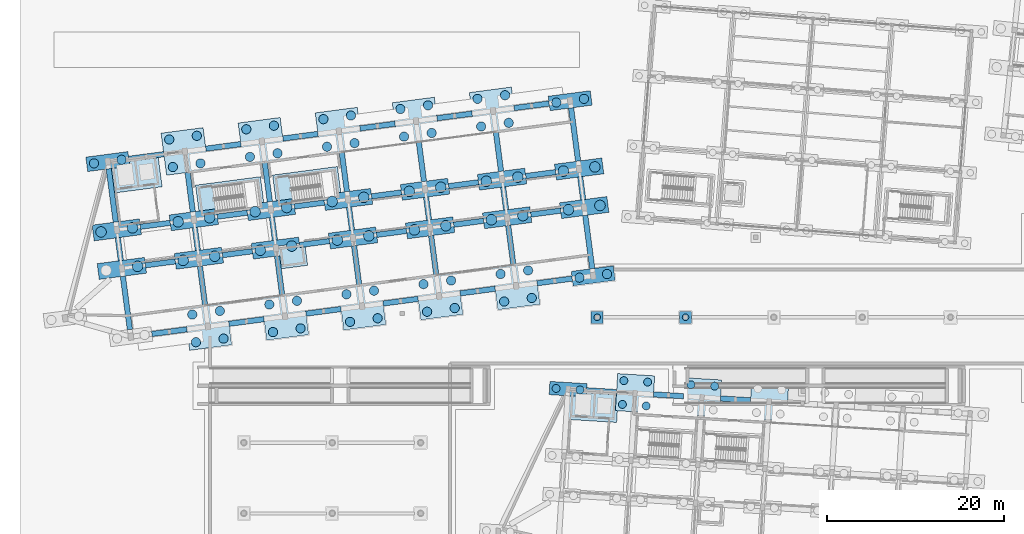
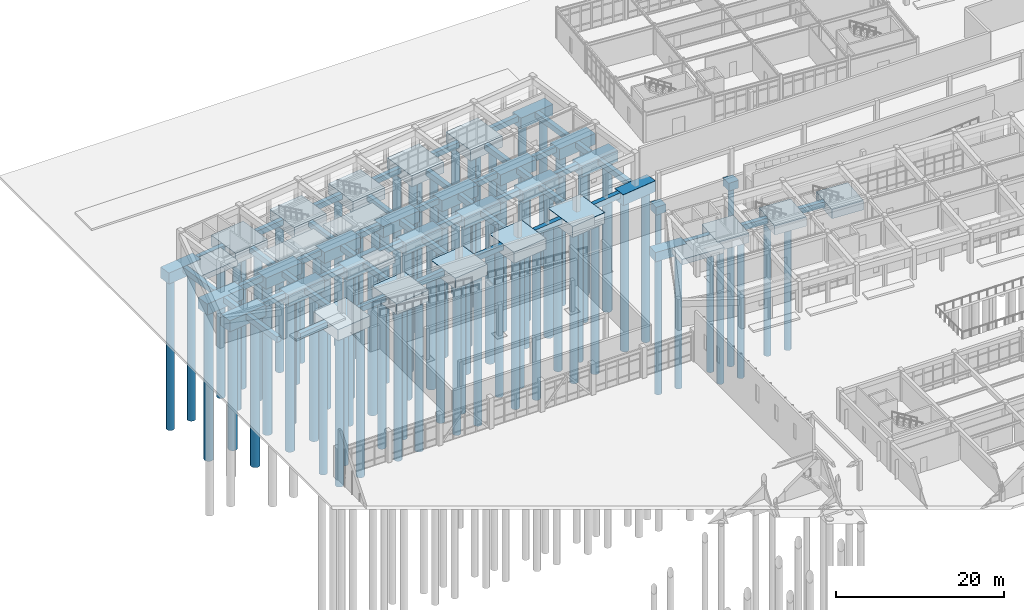
# One storey, part 3 of 154: 86 footings, 83 piles.
"""IFC4 building model written with IfcOpenShell, lengths in metres."""

import ifcopenshell
import ifcopenshell.guid

model = None  # the IFC model being written
_history = None  # IfcOwnerHistory: only IFC2X3 demands one
_inside = {}  # id of a spatial element -> (the spatial element, [elements in it])
_under = {}  # id of a project, library or spatial element -> (it, [spatial elements below it])
_declared = {}  # id of a project -> (the project, [libraries it declares])
_typed = {}  # id of a type object -> (the type object, [elements of that type])
_made_of = {}  # id of a material, layer set ... -> (it, [elements and type objects made of it])


def new_model(schema):
    """Start an empty IFC model of exactly this schema.

    Asked for "IFC4X3", IfcOpenShell would pick the latest addendum, in which some entities
    have other attributes; the version numbers below select the first issue.
    IFC2X3 requires an IfcOwnerHistory on every rooted entity: one is made here for all.
    """
    global model, _history
    if schema == "IFC4X3":
        model = ifcopenshell.file(schema_version=(4, 3, 0, 0))
    else:
        model = ifcopenshell.file(schema=schema)
    _inside.clear()
    _under.clear()
    _declared.clear()
    _typed.clear()
    _made_of.clear()
    _history = None
    if model.schema == "IFC2X3":
        org = make("IfcOrganization", Name="unknown")
        user = make(
            "IfcPersonAndOrganization",
            ThePerson=make("IfcPerson", FamilyName="unknown"),
            TheOrganization=org,
        )
        app = make(
            "IfcApplication",
            ApplicationDeveloper=org,
            Version="unknown",
            ApplicationFullName="unknown",
            ApplicationIdentifier="unknown",
        )
        _history = make(
            "IfcOwnerHistory",
            OwningUser=user,
            OwningApplication=app,
            ChangeAction="ADDED",
            CreationDate=0,
        )
    return model


def make(cls, **values):
    """One entity of the class cls with the attributes given. An attribute that is None is left unset."""
    return model.create_entity(
        cls, **{name: value for name, value in values.items() if value is not None}
    )


def rooted(cls, **values):
    """An entity with a GlobalId (a new one), such as an element, a storey or a relation."""
    return make(cls, GlobalId=ifcopenshell.guid.new(), OwnerHistory=_history, **values)


def si_unit(unit_type, name, prefix=None):
    """IfcSIUnit, for example si_unit("LENGTHUNIT", "METRE", prefix="MILLI")."""
    return make("IfcSIUnit", UnitType=unit_type, Prefix=prefix, Name=name)


def assignment(units):
    """IfcUnitAssignment: the units of a project."""
    return None if units is None else make("IfcUnitAssignment", Units=units)


def point(xyz):
    """IfcCartesianPoint."""
    return None if xyz is None else make("IfcCartesianPoint", Coordinates=xyz)


def direction(xyz):
    """IfcDirection."""
    return None if xyz is None else make("IfcDirection", DirectionRatios=xyz)


def frame(location, z_axis=None, x_axis=None):
    """IfcAxis2Placement3D, a coordinate frame: its origin and axes. An axis left out is left unset."""
    return make(
        "IfcAxis2Placement3D",
        Location=point(location),
        Axis=direction(z_axis),
        RefDirection=direction(x_axis),
    )


def frame_2d(location, x_axis=None):
    """IfcAxis2Placement2D, a coordinate frame in the plane: its origin and x axis."""
    return make(
        "IfcAxis2Placement2D", Location=point(location), RefDirection=direction(x_axis)
    )


def origin():
    """The frame at (0, 0, 0) with its axes left unset."""
    return frame((0.0, 0.0, 0.0))


def origin_2d():
    """The frame at (0, 0) in the plane with its x axis left unset."""
    return frame_2d((0.0, 0.0))


def place(relative_to, where):
    """IfcLocalPlacement: puts the frame where relative to a parent placement (None: the world)."""
    return make(
        "IfcLocalPlacement", PlacementRelTo=relative_to, RelativePlacement=where
    )


def context(
    kind, dimensions, precision=None, world=None, true_north=None, identifier=None
):
    """IfcGeometricRepresentationContext, for example the 3D "Model" context."""
    return make(
        "IfcGeometricRepresentationContext",
        ContextIdentifier=identifier,
        ContextType=kind,
        CoordinateSpaceDimension=dimensions,
        Precision=precision,
        WorldCoordinateSystem=world,
        TrueNorth=true_north,
    )


def subcontext(parent, identifier, kind, view, scale=None):
    """IfcGeometricRepresentationSubContext, for example "Body" below "Model"."""
    return make(
        "IfcGeometricRepresentationSubContext",
        ContextIdentifier=identifier,
        ContextType=kind,
        ParentContext=parent,
        TargetScale=scale,
        TargetView=view,
    )


def project(units=None, contexts=None):
    """IfcProject with its units and contexts."""
    return rooted(
        "IfcProject",
        Name="project",
        RepresentationContexts=contexts,
        UnitsInContext=assignment(units),
    )


def spatial(cls, under=None, at=None, **own):
    """A site, building, storey or space (cls), placed at a placement, below another one or the project."""
    s = rooted(cls, ObjectPlacement=at, **own)
    if under is not None:
        _under.setdefault(under.id(), (under, []))[1].append(s)
    return s


def profile(cls, at=None, kind="AREA", **sizes):
    """A parametric profile (cls). Its sizes go by their IFC names, for example OverallWidth=200.0."""
    return make(cls, ProfileType=kind, Position=at, **sizes)


def rectangle(**sizes):
    """IfcRectangleProfileDef."""
    return profile("IfcRectangleProfileDef", **sizes)


def circle(**sizes):
    """IfcCircleProfileDef."""
    return profile("IfcCircleProfileDef", **sizes)


def extrude(swept, where, along, depth):
    """IfcExtrudedAreaSolid: the profile swept, set in the frame where, extruded along a direction by depth."""
    return make(
        "IfcExtrudedAreaSolid",
        SweptArea=swept,
        Position=where,
        ExtrudedDirection=direction(along),
        Depth=depth,
    )


def shape(context_of_items, identifier, shape_type, items):
    """IfcShapeRepresentation: the items that make up one representation, for example the "Body"."""
    return make(
        "IfcShapeRepresentation",
        ContextOfItems=context_of_items,
        RepresentationIdentifier=identifier,
        RepresentationType=shape_type,
        Items=items,
    )


def material(Name=None, Category=None):
    """IfcMaterial."""
    return make("IfcMaterial", Name=Name, Category=Category)


def material_profile(
    of_material, cross_section, Name=None, Category=None, Priority=None
):
    """IfcMaterialProfile: a cross section and its material."""
    return make(
        "IfcMaterialProfile",
        Name=Name,
        Material=of_material,
        Profile=cross_section,
        Priority=Priority,
        Category=Category,
    )


def profile_set(profiles, Name=None, composite=None):
    """IfcMaterialProfileSet."""
    return make(
        "IfcMaterialProfileSet",
        Name=Name,
        MaterialProfiles=profiles,
        CompositeProfile=composite,
    )


def made_of(thing, what):
    """Note that an element or type object is made of a material, layer set ...; save() writes the relation."""
    if what is not None:
        _made_of.setdefault(what.id(), (what, []))[1].append(thing)
    return thing


def type_object(cls, material=None, **own):
    """A type object (cls), such as IfcWallType, which elements share."""
    return made_of(rooted(cls, **own), material)


def element(
    cls,
    number,
    at=None,
    inside=None,
    cuts=None,
    type_object=None,
    material=None,
    context=None,
    identifier="Body",
    shape_type=None,
    held_by="IfcProductDefinitionShape",
    body=None,
    shapes=None,
    **own,
):
    """One element of the class cls, such as IfcWall. Its Tag is "e" and its number.

    at: its placement. inside: the storey or other place that contains it. cuts: it is an
    opening in that element (IfcRelVoidsElement). A single representation is given by context,
    identifier, shape_type and body (its items); several are given by shapes. held_by: the class
    of the entity that holds the representations. save() writes the other relations.
    """
    e = rooted(cls, Tag="e%d" % number, ObjectPlacement=at, **own)
    if body is not None:
        shapes = [shape(context, identifier, shape_type, body)]
    if shapes is not None:
        e.Representation = make(held_by, Representations=shapes)
    if inside is not None:
        _inside.setdefault(inside.id(), (inside, []))[1].append(e)
    if cuts is not None:
        rooted(
            "IfcRelVoidsElement", RelatingBuildingElement=cuts, RelatedOpeningElement=e
        )
    if type_object is not None:
        _typed.setdefault(type_object.id(), (type_object, []))[1].append(e)
    return made_of(e, material)


def aggregate(whole, parts):
    """IfcRelAggregates: a whole, such as a stair, and the parts it consists of."""
    return rooted("IfcRelAggregates", RelatingObject=whole, RelatedObjects=parts)


def save(model, path):
    """Write the relations noted so far, then the file.

    IfcRelAggregates (storeys below a building ...), IfcRelContainedInSpatialStructure (elements
    in a storey), IfcRelDefinesByType, IfcRelAssociatesMaterial and IfcRelDeclares: one each for
    every whole, place, type object, material and project.
    """
    for whole, parts in _under.values():
        aggregate(whole, parts)
    for where, things in _inside.values():
        rooted(
            "IfcRelContainedInSpatialStructure",
            RelatedElements=things,
            RelatingStructure=where,
        )
    for kind, things in _typed.values():
        rooted("IfcRelDefinesByType", RelatedObjects=things, RelatingType=kind)
    for what, things in _made_of.values():
        rooted("IfcRelAssociatesMaterial", RelatedObjects=things, RelatingMaterial=what)
    for by, libraries in _declared.values():
        rooted("IfcRelDeclares", RelatingContext=by, RelatedDefinitions=libraries)
    model.write(path)


model = new_model("IFC4")

# Units and contexts
model_context = context("Model", 3, precision=1e-05, world=origin(), true_north=direction((0.0, 1.0)))
body_context = subcontext(model_context, "Body", "Model", "MODEL_VIEW")
ifc_project = project(units=[si_unit("LENGTHUNIT", "METRE"), si_unit("AREAUNIT", "SQUARE_METRE"), si_unit("VOLUMEUNIT", "CUBIC_METRE"), si_unit("PLANEANGLEUNIT", "RADIAN"), si_unit("MASSUNIT", "GRAM", prefix="KILO")], contexts=[model_context])

# Site, building, storey
site_placement = place(None, origin())
site = spatial("IfcSite", under=ifc_project, at=site_placement, CompositionType="ELEMENT")
building_placement = place(site_placement, origin())
building = spatial("IfcBuilding", under=site, at=building_placement, Name="Kestramere Prow Commons", CompositionType="ELEMENT")
storey_placement = place(building_placement, origin())
storey = spatial("IfcBuildingStorey", under=building, at=storey_placement, Name="L00", CompositionType="ELEMENT", Elevation=0.0)

# Piles
ifc_material = material(Name="Concrete C35/45", Category="concrete")
ifc_material_profile_1 = material_profile(ifc_material, circle(Radius=0.52490234375, at=origin_2d()), Name="BORED PILE D1050")
ifc_profile_set_1 = profile_set([ifc_material_profile_1], Name="Concrete C35/45")
pile_type_1 = type_object("IfcPileType", Name="BP-1050 BORED PILE D1050", PredefinedType="BORED", material=ifc_profile_set_1)
for number, where, z_axis, x_axis, name in (
    (1, (7.02783203125, 91.623291015625, -1.85009765625), (0.0, 0.0, -1.0), (1.0, 0.0, 0.0), "Bored pile FC-A-0-3-P1"),
    (2, (10.151123046875, 92.034423828125, -1.85009765625), (0.0, 0.0, -1.0), (1.0, 0.0, 0.0), "Bored pile FC-A-0-3-P2"),
    (3, (18.56884765625, 71.381591796875, -1.85009765625), (0.0, 0.0, -1.0), (1.0, 0.0, 0.0), "Bored pile FC-A-1-0-P1"),
    (4, (21.69189453125, 71.792724609375, -1.85009765625), (0.0, 0.0, -1.0), (1.0, 0.0, 0.0), "Bored pile FC-A-1-0-P2"),
    (5, (18.15771484375, 74.504638671875, -1.85009765625), (0.0, 0.0, -1.0), (1.0, 0.0, 0.0), "Bored pile FC-A-1-0-P3"),
    (6, (21.28076171875, 74.915771484375, -1.85009765625), (0.0, 0.0, -1.0), (1.0, 0.0, 0.0), "Bored pile FC-A-1-0-P4"),
    (7, (15.958251953125, 91.21044921875, -1.85009765625), (0.0, 0.0, -1.0), (1.0, 0.0, 0.0), "Bored pile FC-A-1-3-P1"),
    (8, (19.081298828125, 91.62158203125, -1.85009765625), (0.0, 0.0, -1.0), (1.0, 0.0, 0.0), "Bored pile FC-A-1-3-P2"),
    (9, (15.547119140625, 94.33349609375, -1.85009765625), (0.0, 0.0, -1.0), (1.0, 0.0, 0.0), "Bored pile FC-A-1-3-P3"),
    (10, (18.670166015625, 94.74462890625, -1.85009765625), (0.0, 0.0, -1.0), (1.0, 0.0, 0.0), "Bored pile FC-A-1-3-P4"),
    (11, (27.29345703125, 72.5302734375, -1.85009765625), (0.0, 0.0, -1.0), (1.0, 0.0, 0.0), "Bored pile FC-A-2-0-P1"),
    (12, (30.41650390625, 72.94140625, -1.85009765625), (0.0, 0.0, -1.0), (1.0, 0.0, 0.0), "Bored pile FC-A-2-0-P2"),
    (13, (26.88232421875, 75.6533203125, -1.85009765625), (0.0, 0.0, -1.0), (1.0, 0.0, 0.0), "Bored pile FC-A-2-0-P3"),
    (14, (30.00537109375, 76.064453125, -1.85009765625), (0.0, 0.0, -1.0), (1.0, 0.0, 0.0), "Bored pile FC-A-2-0-P4"),
    (15, (24.682861328125, 92.359130859375, -1.85009765625), (0.0, 0.0, -1.0), (1.0, 0.0, 0.0), "Bored pile FC-A-2-3-P1"),
    (16, (27.805908203125, 92.770263671875, -1.85009765625), (0.0, 0.0, -1.0), (1.0, 0.0, 0.0), "Bored pile FC-A-2-3-P2"),
    (17, (24.271728515625, 95.482177734375, -1.85009765625), (0.0, 0.0, -1.0), (1.0, 0.0, 0.0), "Bored pile FC-A-2-3-P3"),
    (18, (27.394775390625, 95.893310546875, -1.85009765625), (0.0, 0.0, -1.0), (1.0, 0.0, 0.0), "Bored pile FC-A-2-3-P4"),
    (19, (36.018310546875, 73.6787109375, -1.85009765625), (0.0, 0.0, -1.0), (1.0, 0.0, 0.0), "Bored pile FC-A-3-0-P1"),
    (20, (39.141357421875, 74.08984375, -1.85009765625), (0.0, 0.0, -1.0), (1.0, 0.0, 0.0), "Bored pile FC-A-3-0-P2"),
    (21, (35.60693359375, 76.8017578125, -1.85009765625), (0.0, 0.0, -1.0), (1.0, 0.0, 0.0), "Bored pile FC-A-3-0-P3"),
    (22, (38.72998046875, 77.212890625, -1.85009765625), (0.0, 0.0, -1.0), (1.0, 0.0, 0.0), "Bored pile FC-A-3-0-P4"),
    (23, (33.40771484375, 93.507568359375, -1.85009765625), (0.0, 0.0, -1.0), (1.0, 0.0, 0.0), "Bored pile FC-A-3-3-P1"),
    (24, (36.53076171875, 93.9189453125, -1.85009765625), (0.0, 0.0, -1.0), (1.0, 0.0, 0.0), "Bored pile FC-A-3-3-P2"),
    (25, (32.99658203125, 96.630615234375, -1.85009765625), (0.0, 0.0, -1.0), (1.0, 0.0, 0.0), "Bored pile FC-A-3-3-P3"),
    (26, (36.11962890625, 97.0419921875, -1.85009765625), (0.0, 0.0, -1.0), (1.0, 0.0, 0.0), "Bored pile FC-A-3-3-P4"),
    (27, (44.742919921875, 74.827392578125, -1.85009765625), (0.0, 0.0, -1.0), (1.0, 0.0, 0.0), "Bored pile FC-A-4-0-P1"),
    (28, (47.865966796875, 75.238525390625, -1.85009765625), (0.0, 0.0, -1.0), (1.0, 0.0, 0.0), "Bored pile FC-A-4-0-P2"),
    (29, (44.331787109375, 77.950439453125, -1.85009765625), (0.0, 0.0, -1.0), (1.0, 0.0, 0.0), "Bored pile FC-A-4-0-P3"),
    (30, (47.454833984375, 78.361572265625, -1.85009765625), (0.0, 0.0, -1.0), (1.0, 0.0, 0.0), "Bored pile FC-A-4-0-P4"),
    (31, (42.13232421875, 94.65625, -1.85009765625), (0.0, 0.0, -1.0), (1.0, 0.0, 0.0), "Bored pile FC-A-4-3-P1"),
    (32, (45.25537109375, 95.0673828125, -1.85009765625), (0.0, 0.0, -1.0), (1.0, 0.0, 0.0), "Bored pile FC-A-4-3-P2"),
    (33, (41.72119140625, 97.779296875, -1.85009765625), (0.0, 0.0, -1.0), (1.0, 0.0, 0.0), "Bored pile FC-A-4-3-P3"),
    (34, (44.84423828125, 98.1904296875, -1.85009765625), (0.0, 0.0, -1.0), (1.0, 0.0, 0.0), "Bored pile FC-A-4-3-P4"),
    (35, (53.467529296875, 75.97607421875, -1.85009765625), (0.0, 0.0, -1.0), (1.0, 0.0, 0.0), "Bored pile FC-A-5-0-P1"),
    (36, (56.590576171875, 76.38720703125, -1.85009765625), (0.0, 0.0, -1.0), (1.0, 0.0, 0.0), "Bored pile FC-A-5-0-P2"),
    (37, (53.056396484375, 79.09912109375, -1.85009765625), (0.0, 0.0, -1.0), (1.0, 0.0, 0.0), "Bored pile FC-A-5-0-P3"),
    (38, (56.179443359375, 79.51025390625, -1.85009765625), (0.0, 0.0, -1.0), (1.0, 0.0, 0.0), "Bored pile FC-A-5-0-P4"),
    (39, (50.857177734375, 95.804931640625, -1.85009765625), (0.0, 0.0, -1.0), (1.0, 0.0, 0.0), "Bored pile FC-A-5-3-P1"),
    (40, (53.980224609375, 96.216064453125, -1.85009765625), (0.0, 0.0, -1.0), (1.0, 0.0, 0.0), "Bored pile FC-A-5-3-P2"),
    (41, (50.446044921875, 98.927978515625, -1.85009765625), (0.0, 0.0, -1.0), (1.0, 0.0, 0.0), "Bored pile FC-A-5-3-P3"),
    (42, (53.569091796875, 99.339111328125, -1.85009765625), (0.0, 0.0, -1.0), (1.0, 0.0, 0.0), "Bored pile FC-A-5-3-P4"),
    (43, (61.98681640625, 78.686279296875, -1.85009765625), (0.0, 0.0, -1.0), (1.0, 0.0, 0.0), "Bored pile FC-A-6-0-P1"),
    (44, (65.10986328125, 79.097412109375, -1.85009765625), (0.0, 0.0, -1.0), (1.0, 0.0, 0.0), "Bored pile FC-A-6-0-P2"),
    (45, (59.376220703125, 98.51513671875, -1.85009765625), (0.0, 0.0, -1.0), (1.0, 0.0, 0.0), "Bored pile FC-A-6-3-P1"),
    (46, (62.499267578125, 98.92626953125, -1.85009765625), (0.0, 0.0, -1.0), (1.0, 0.0, 0.0), "Bored pile FC-A-6-3-P2"),
):
    element("IfcPile", number, at=place(storey_placement, frame(where, z_axis=z_axis, x_axis=x_axis)), inside=storey, type_object=pile_type_1, Name=name, PredefinedType="BORED", context=body_context, shape_type="SweptSolid", body=[
        extrude(circle(Radius=0.52490234375, at=origin_2d()), origin(), (0.0, 0.0, 1.0), 21.800048828125),
    ])
ifc_material_profile_2 = material_profile(ifc_material, circle(Radius=0.60009765625, at=origin_2d()), Name="BORED PILE D1200")
ifc_profile_set_2 = profile_set([ifc_material_profile_2], Name="Concrete C35/45")
pile_type_2 = type_object("IfcPileType", Name="BP-1200 BORED PILE D1200", PredefinedType="BORED", material=ifc_profile_set_2)
for number, where, z_axis, x_axis, name in (
    (47, (11.966552734375, 79.96826171875, -1.85009765625), (0.0, 0.0, -1.0), (1.0, 0.0, 0.0), "Bored pile FC-A-0-1-P2"),
    (48, (7.822998046875, 83.860595703125, -1.85009765625), (0.0, 0.0, -1.0), (1.0, 0.0, 0.0), "Bored pile FC-A-0-2-P1"),
    (49, (11.39208984375, 84.33056640625, -1.85009765625), (0.0, 0.0, -1.0), (1.0, 0.0, 0.0), "Bored pile FC-A-0-2-P2"),
    (50, (17.1220703125, 80.64697265625, -1.85009765625), (0.0, 0.0, -1.0), (1.0, 0.0, 0.0), "Bored pile FC-A-1-1-P1"),
    (51, (20.691162109375, 81.116943359375, -1.85009765625), (0.0, 0.0, -1.0), (1.0, 0.0, 0.0), "Bored pile FC-A-1-1-P2"),
    (52, (16.547607421875, 85.00927734375, -1.85009765625), (0.0, 0.0, -1.0), (1.0, 0.0, 0.0), "Bored pile FC-A-1-2-P1"),
    (53, (20.116943359375, 85.479248046875, -1.85009765625), (0.0, 0.0, -1.0), (1.0, 0.0, 0.0), "Bored pile FC-A-1-2-P2"),
    (54, (25.8466796875, 81.795654296875, -1.85009765625), (0.0, 0.0, -1.0), (1.0, 0.0, 0.0), "Bored pile FC-A-2-1-P1"),
    (55, (29.416015625, 82.265380859375, -1.85009765625), (0.0, 0.0, -1.0), (1.0, 0.0, 0.0), "Bored pile FC-A-2-1-P2"),
    (56, (25.2724609375, 86.157958984375, -1.85009765625), (0.0, 0.0, -1.0), (1.0, 0.0, 0.0), "Bored pile FC-A-2-2-P1"),
    (57, (28.841552734375, 86.6279296875, -1.85009765625), (0.0, 0.0, -1.0), (1.0, 0.0, 0.0), "Bored pile FC-A-2-2-P2"),
    (58, (34.571533203125, 82.9443359375, -1.85009765625), (0.0, 0.0, -1.0), (1.0, 0.0, 0.0), "Bored pile FC-A-3-1-P1"),
    (59, (38.140625, 83.4140625, -1.85009765625), (0.0, 0.0, -1.0), (1.0, 0.0, 0.0), "Bored pile FC-A-3-1-P2"),
    (60, (33.9970703125, 87.306640625, -1.85009765625), (0.0, 0.0, -1.0), (1.0, 0.0, 0.0), "Bored pile FC-A-3-2-P1"),
    (61, (37.56640625, 87.7763671875, -1.85009765625), (0.0, 0.0, -1.0), (1.0, 0.0, 0.0), "Bored pile FC-A-3-2-P2"),
    (62, (43.296142578125, 84.0927734375, -1.85009765625), (0.0, 0.0, -1.0), (1.0, 0.0, 0.0), "Bored pile FC-A-4-1-P1"),
    (63, (46.865234375, 84.562744140625, -1.85009765625), (0.0, 0.0, -1.0), (1.0, 0.0, 0.0), "Bored pile FC-A-4-1-P2"),
    (64, (42.721923828125, 88.455322265625, -1.85009765625), (0.0, 0.0, -1.0), (1.0, 0.0, 0.0), "Bored pile FC-A-4-2-P1"),
    (65, (46.291015625, 88.925048828125, -1.85009765625), (0.0, 0.0, -1.0), (1.0, 0.0, 0.0), "Bored pile FC-A-4-2-P2"),
    (66, (52.020751953125, 85.241455078125, -1.85009765625), (0.0, 0.0, -1.0), (1.0, 0.0, 0.0), "Bored pile FC-A-5-1-P1"),
    (67, (55.590087890625, 85.71142578125, -1.85009765625), (0.0, 0.0, -1.0), (1.0, 0.0, 0.0), "Bored pile FC-A-5-1-P2"),
    (68, (51.446533203125, 89.603759765625, -1.85009765625), (0.0, 0.0, -1.0), (1.0, 0.0, 0.0), "Bored pile FC-A-5-2-P1"),
    (69, (55.015869140625, 90.07373046875, -1.85009765625), (0.0, 0.0, -1.0), (1.0, 0.0, 0.0), "Bored pile FC-A-5-2-P2"),
    (70, (60.74560546875, 86.39013671875, -1.85009765625), (0.0, 0.0, -1.0), (1.0, 0.0, 0.0), "Bored pile FC-A-6-1-P1"),
    (71, (64.314697265625, 86.860107421875, -1.85009765625), (0.0, 0.0, -1.0), (1.0, 0.0, 0.0), "Bored pile FC-A-6-1-P2"),
    (72, (60.17138671875, 90.75244140625, -1.85009765625), (0.0, 0.0, -1.0), (1.0, 0.0, 0.0), "Bored pile FC-A-6-2-P1"),
    (73, (63.740478515625, 91.222412109375, -1.85009765625), (0.0, 0.0, -1.0), (1.0, 0.0, 0.0), "Bored pile FC-A-6-2-P2"),
):
    element("IfcPile", number, at=place(storey_placement, frame(where, z_axis=z_axis, x_axis=x_axis)), inside=storey, type_object=pile_type_2, Name=name, PredefinedType="BORED", context=body_context, shape_type="SweptSolid", body=[
        extrude(circle(Radius=0.60009765625, at=origin_2d()), origin(), (0.0, 0.0, 1.0), 21.800048828125),
    ])
ifc_material_profile_3 = material_profile(ifc_material, circle(Radius=0.375, at=origin_2d()), Name="BORED PILE D750")
ifc_profile_set_3 = profile_set([ifc_material_profile_3], Name="Concrete C35/45")
pile_type_3 = type_object("IfcPileType", Name="BP-750 BORED PILE D750", PredefinedType="BORED", material=ifc_profile_set_3)
for number, where, z_axis, x_axis, name in (
    (74, (64.0, 74.199951171875, -1.39990234375), (0.0, 0.0, -1.0), (1.0, 0.0, 0.0), "Bored pile FC-CRT-64-74-P1"),
    (75, (74.0, 74.199951171875, -1.39990234375), (0.0, 0.0, -1.0), (1.0, 0.0, 0.0), "Bored pile FC-CRT-74-74-P1"),
):
    element("IfcPile", number, at=place(storey_placement, frame(where, z_axis=z_axis, x_axis=x_axis)), inside=storey, type_object=pile_type_3, Name=name, PredefinedType="BORED", context=body_context, shape_type="SweptSolid", body=[
        extrude(circle(Radius=0.375, at=origin_2d()), origin(), (0.0, 0.0, 1.0), 18.5),
    ])
ifc_material_profile_4 = material_profile(ifc_material, circle(Radius=0.449951171875, at=origin_2d()), Name="BORED PILE D900")
ifc_profile_set_4 = profile_set([ifc_material_profile_4], Name="Concrete C35/45")
pile_type_4 = type_object("IfcPileType", Name="BP-900 BORED PILE D900", PredefinedType="BORED", material=ifc_profile_set_4)
for number, where, z_axis, x_axis, name in (
    (76, (59.34912109375, 66.145751953125, -1.60009765625), (0.0, 0.0, -1.0), (1.0, 0.0, 0.0), "Bored pile FC-C-0-3-P1"),
    (77, (62.0439453125, 65.98095703125, -1.60009765625), (0.0, 0.0, -1.0), (1.0, 0.0, 0.0), "Bored pile FC-C-0-3-P2"),
    (78, (66.8525390625, 64.33447265625, -1.60009765625), (0.0, 0.0, -1.0), (1.0, 0.0, 0.0), "Bored pile FC-C-1-3-P1"),
    (79, (69.54736328125, 64.169677734375, -1.60009765625), (0.0, 0.0, -1.0), (1.0, 0.0, 0.0), "Bored pile FC-C-1-3-P2"),
    (80, (67.017333984375, 67.029296875, -1.60009765625), (0.0, 0.0, -1.0), (1.0, 0.0, 0.0), "Bored pile FC-C-1-3-P3"),
    (81, (69.712158203125, 66.864501953125, -1.60009765625), (0.0, 0.0, -1.0), (1.0, 0.0, 0.0), "Bored pile FC-C-1-3-P4"),
    (82, (74.60302734375, 66.5654296875, -1.60009765625), (0.0, 0.0, -1.0), (1.0, 0.0, 0.0), "Bored pile FC-C-2-3-P3"),
    (83, (77.298095703125, 66.400634765625, -1.60009765625), (0.0, 0.0, -1.0), (1.0, 0.0, 0.0), "Bored pile FC-C-2-3-P4"),
):
    element("IfcPile", number, at=place(storey_placement, frame(where, z_axis=z_axis, x_axis=x_axis)), inside=storey, type_object=pile_type_4, Name=name, PredefinedType="BORED", context=body_context, shape_type="SweptSolid", body=[
        extrude(circle(Radius=0.449951171875, at=origin_2d()), origin(), (0.0, 0.0, 1.0), 19.800048828125),
    ])

# Footings
footing_type_1 = type_object("IfcFootingType", Name="FT-CORE-STRIP", PredefinedType="STRIP_FOOTING", material=ifc_material)
footing_1_placement = place(storey_placement, frame((11.714599609375, 90.50048828125, -1.14990234375), z_axis=(0.0, 0.0, 1.0), x_axis=(0.991444861374, 0.13052619222, 0.0)))
element("IfcFooting", 84, at=footing_1_placement, inside=storey, type_object=footing_type_1, Name="Block A Lift Core Mat Footing", PredefinedType="STRIP_FOOTING", context=body_context, shape_type="SweptSolid", body=[
    extrude(rectangle(XDim=5.60009765625, YDim=3.800048828125, at=origin_2d()), origin(), (0.0, 0.0, 1.0), 0.800048828125),
])
for number, where, z_axis, x_axis, name in (
    (85, (22.436767578125, 87.776611328125, -1.14990234375), (0.0, 0.0, 1.0), (0.991444861374, 0.13052619222, 0.0), "ST-A1 Stair Core Raft Footing"),
    (86, (31.16162109375, 88.92529296875, -1.14990234375), (0.0, 0.0, 1.0), (0.991444861374, 0.13052619222, 0.0), "ST-A2 Stair Core Raft Footing"),
):
    element("IfcFooting", number, at=place(storey_placement, frame(where, z_axis=z_axis, x_axis=x_axis)), inside=storey, type_object=footing_type_1, Name=name, PredefinedType="STRIP_FOOTING", context=body_context, shape_type="SweptSolid", body=[
        extrude(rectangle(XDim=7.39990234375, YDim=3.75, at=origin_2d()), origin(), (0.0, 0.0, 1.0), 0.800048828125),
    ])
footing_2_placement = place(storey_placement, frame((29.510009765625, 81.16845703125, -1.14990234375), z_axis=(0.0, 0.0, 1.0), x_axis=(0.991444861374, 0.13052619222, 0.0)))
element("IfcFooting", 87, at=footing_2_placement, inside=storey, type_object=footing_type_1, Name="Block A Household Shelter Footing", PredefinedType="STRIP_FOOTING", context=body_context, shape_type="SweptSolid", body=[
    extrude(rectangle(XDim=3.10009765625, YDim=2.60009765625, at=origin_2d()), origin(), (0.0, 0.0, 1.0), 0.800048828125),
])
footing_3_placement = place(storey_placement, frame((63.516845703125, 64.262939453125, -1.14990234375), z_axis=(0.0, 0.0, 1.0), x_axis=(0.998134798422, -0.061048539535, 0.0)))
element("IfcFooting", 88, at=footing_3_placement, inside=storey, type_object=footing_type_1, Name="Block C Lift Core Mat Footing", PredefinedType="STRIP_FOOTING", context=body_context, shape_type="SweptSolid", body=[
    extrude(rectangle(XDim=5.60009765625, YDim=3.60009765625, at=origin_2d()), origin(), (0.0, 0.0, 1.0), 0.800048828125),
])
footing_type_2 = type_object("IfcFootingType", Name="GB-03 600x800 L4000", PredefinedType="FOOTING_BEAM", material=ifc_material)
for number, where, z_axis, x_axis, name in (
    (89, (15.562255859375, 72.57421875, -1.14990234375), (0.0, 0.0, 1.0), (0.991444861374, 0.13052619222, 0.0), "Foundation ground beam GBU-A-0-0"),
    (90, (12.951904296875, 92.4033203125, -1.14990234375), (0.0, 0.0, 1.0), (0.991444861374, 0.13052619222, 0.0), "Foundation ground beam GBU-A-0-3"),
    (91, (24.287109375, 73.722900390625, -1.14990234375), (0.0, 0.0, 1.0), (0.991444861374, 0.13052619222, 0.0), "Foundation ground beam GBU-A-1-0"),
    (92, (21.676513671875, 93.5517578125, -1.14990234375), (0.0, 0.0, 1.0), (0.991444861374, 0.13052619222, 0.0), "Foundation ground beam GBU-A-1-3"),
    (93, (33.01171875, 74.87158203125, -1.14990234375), (0.0, 0.0, 1.0), (0.991444861374, 0.13052619222, 0.0), "Foundation ground beam GBU-A-2-0"),
    (94, (30.4013671875, 94.700439453125, -1.14990234375), (0.0, 0.0, 1.0), (0.991444861374, 0.13052619222, 0.0), "Foundation ground beam GBU-A-2-3"),
    (95, (41.736572265625, 76.020263671875, -1.14990234375), (0.0, 0.0, 1.0), (0.991444861374, 0.13052619222, 0.0), "Foundation ground beam GBU-A-3-0"),
    (96, (39.1259765625, 95.84912109375, -1.14990234375), (0.0, 0.0, 1.0), (0.991444861374, 0.13052619222, 0.0), "Foundation ground beam GBU-A-3-3"),
    (97, (50.461181640625, 77.1689453125, -1.14990234375), (0.0, 0.0, 1.0), (0.991444861374, 0.13052619222, 0.0), "Foundation ground beam GBU-A-4-0"),
    (98, (47.8505859375, 96.997802734375, -1.14990234375), (0.0, 0.0, 1.0), (0.991444861374, 0.13052619222, 0.0), "Foundation ground beam GBU-A-4-3"),
    (99, (59.18603515625, 78.3173828125, -1.14990234375), (0.0, 0.0, 1.0), (0.991444861374, 0.13052619222, 0.0), "Foundation ground beam GBU-A-5-0"),
    (100, (56.575439453125, 98.146484375, -1.14990234375), (0.0, 0.0, 1.0), (0.991444861374, 0.13052619222, 0.0), "Foundation ground beam GBU-A-5-3"),
):
    element("IfcFooting", number, at=place(storey_placement, frame(where, z_axis=z_axis, x_axis=x_axis)), inside=storey, type_object=footing_type_2, Name=name, PredefinedType="FOOTING_BEAM", context=body_context, shape_type="SweptSolid", body=[
        extrude(rectangle(XDim=4.0, YDim=0.60009765625, at=origin_2d()), origin(), (0.0, 0.0, 1.0), 0.800048828125),
    ])
footing_type_3 = type_object("IfcFootingType", Name="GB-04 600x800 L3400", PredefinedType="FOOTING_BEAM", material=ifc_material)
for number, where, z_axis, x_axis, name in (
    (101, (14.544189453125, 80.3076171875, -1.14990234375), (0.0, 0.0, 1.0), (0.991444861374, 0.13052619222, 0.0), "Foundation ground beam GBU-A-0-1"),
    (102, (13.969970703125, 84.669921875, -1.14990234375), (0.0, 0.0, 1.0), (0.991444861374, 0.13052619222, 0.0), "Foundation ground beam GBU-A-0-2"),
    (103, (23.26904296875, 81.456298828125, -1.14990234375), (0.0, 0.0, 1.0), (0.991444861374, 0.13052619222, 0.0), "Foundation ground beam GBU-A-1-1"),
    (104, (22.694580078125, 85.818603515625, -1.14990234375), (0.0, 0.0, 1.0), (0.991444861374, 0.13052619222, 0.0), "Foundation ground beam GBU-A-1-2"),
    (105, (31.99365234375, 82.604736328125, -1.14990234375), (0.0, 0.0, 1.0), (0.991444861374, 0.13052619222, 0.0), "Foundation ground beam GBU-A-2-1"),
    (106, (31.41943359375, 86.96728515625, -1.14990234375), (0.0, 0.0, 1.0), (0.991444861374, 0.13052619222, 0.0), "Foundation ground beam GBU-A-2-2"),
    (107, (40.718505859375, 83.75341796875, -1.14990234375), (0.0, 0.0, 1.0), (0.991444861374, 0.13052619222, 0.0), "Foundation ground beam GBU-A-3-1"),
    (108, (40.14404296875, 88.11572265625, -1.14990234375), (0.0, 0.0, 1.0), (0.991444861374, 0.13052619222, 0.0), "Foundation ground beam GBU-A-3-2"),
    (109, (49.443115234375, 84.902099609375, -1.14990234375), (0.0, 0.0, 1.0), (0.991444861374, 0.13052619222, 0.0), "Foundation ground beam GBU-A-4-1"),
    (110, (48.868896484375, 89.264404296875, -1.14990234375), (0.0, 0.0, 1.0), (0.991444861374, 0.13052619222, 0.0), "Foundation ground beam GBU-A-4-2"),
    (111, (58.167724609375, 86.05078125, -1.14990234375), (0.0, 0.0, 1.0), (0.991444861374, 0.13052619222, 0.0), "Foundation ground beam GBU-A-5-1"),
    (112, (57.593505859375, 90.4130859375, -1.14990234375), (0.0, 0.0, 1.0), (0.991444861374, 0.13052619222, 0.0), "Foundation ground beam GBU-A-5-2"),
    (113, (64.489501953125, 65.83154296875, -1.14990234375), (0.0, 0.0, 1.0), (0.998134798422, -0.061048539535, 0.0), "Foundation ground beam GBU-C-0-3"),
    (114, (72.0751953125, 65.367431640625, -1.14990234375), (0.0, 0.0, 1.0), (0.998134798422, -0.061048539535, 0.0), "Foundation ground beam GBU-C-1-3"),
    (115, (79.6611328125, 64.903564453125, -1.14990234375), (0.0, 0.0, 1.0), (0.998134798422, -0.061048539535, 0.0), "Foundation ground beam GBU-C-2-3"),
):
    element("IfcFooting", number, at=place(storey_placement, frame(where, z_axis=z_axis, x_axis=x_axis)), inside=storey, type_object=footing_type_3, Name=name, PredefinedType="FOOTING_BEAM", context=body_context, shape_type="SweptSolid", body=[
        extrude(rectangle(XDim=3.39990234375, YDim=0.60009765625, at=origin_2d()), origin(), (0.0, 0.0, 1.0), 0.800048828125),
    ])
footing_type_4 = type_object("IfcFootingType", Name="GB-05 600x800 L6080", PredefinedType="FOOTING_BEAM", material=ifc_material)
for number, where, z_axis, x_axis, name in (
    (116, (10.69580078125, 75.829345703125, -1.14990234375), (0.0, 0.0, 1.0), (-0.13052619222, 0.991444861374, 0.0), "Foundation ground beam GBV-A-0-0"),
    (117, (9.09375, 87.99951171875, -1.14990234375), (0.0, 0.0, 1.0), (-0.13052619222, 0.991444861374, 0.0), "Foundation ground beam GBV-A-0-2"),
    (118, (63.044189453125, 82.72119140625, -1.14990234375), (0.0, 0.0, 1.0), (-0.13052619222, 0.991444861374, 0.0), "Foundation ground beam GBV-A-6-0"),
    (119, (61.44189453125, 94.89111328125, -1.14990234375), (0.0, 0.0, 1.0), (-0.13052619222, 0.991444861374, 0.0), "Foundation ground beam GBV-A-6-2"),
):
    element("IfcFooting", number, at=place(storey_placement, frame(where, z_axis=z_axis, x_axis=x_axis)), inside=storey, type_object=footing_type_4, Name=name, PredefinedType="FOOTING_BEAM", context=body_context, shape_type="SweptSolid", body=[
        extrude(rectangle(XDim=6.074951171875, YDim=0.60009765625, at=origin_2d()), origin(), (0.0, 0.0, 1.0), 0.800048828125),
    ])
footing_type_5 = type_object("IfcFootingType", Name="GB-06 600x800 L2600", PredefinedType="FOOTING_BEAM", material=ifc_material)
for number, where, z_axis, x_axis, name in (
    (120, (9.894775390625, 81.91455078125, -1.14990234375), (0.0, 0.0, 1.0), (-0.13052619222, 0.991444861374, 0.0), "Foundation ground beam GBV-A-0-1"),
    (121, (18.619384765625, 83.06298828125, -1.14990234375), (0.0, 0.0, 1.0), (-0.13052619222, 0.991444861374, 0.0), "Foundation ground beam GBV-A-1-1"),
    (122, (27.34423828125, 84.211669921875, -1.14990234375), (0.0, 0.0, 1.0), (-0.13052619222, 0.991444861374, 0.0), "Foundation ground beam GBV-A-2-1"),
    (123, (36.06884765625, 85.3603515625, -1.14990234375), (0.0, 0.0, 1.0), (-0.13052619222, 0.991444861374, 0.0), "Foundation ground beam GBV-A-3-1"),
    (124, (44.793701171875, 86.509033203125, -1.14990234375), (0.0, 0.0, 1.0), (-0.13052619222, 0.991444861374, 0.0), "Foundation ground beam GBV-A-4-1"),
    (125, (53.518310546875, 87.65771484375, -1.14990234375), (0.0, 0.0, 1.0), (-0.13052619222, 0.991444861374, 0.0), "Foundation ground beam GBV-A-5-1"),
    (126, (62.242919921875, 88.80615234375, -1.14990234375), (0.0, 0.0, 1.0), (-0.13052619222, 0.991444861374, 0.0), "Foundation ground beam GBV-A-6-1"),
):
    element("IfcFooting", number, at=place(storey_placement, frame(where, z_axis=z_axis, x_axis=x_axis)), inside=storey, type_object=footing_type_5, Name=name, PredefinedType="FOOTING_BEAM", context=body_context, shape_type="SweptSolid", body=[
        extrude(rectangle(XDim=2.60009765625, YDim=0.60009765625, at=origin_2d()), origin(), (0.0, 0.0, 1.0), 0.800048828125),
    ])
footing_type_6 = type_object("IfcFootingType", Name="GB-07 600x800 L4500", PredefinedType="FOOTING_BEAM", material=ifc_material)
for number, where, z_axis, x_axis, name in (
    (127, (19.31787109375, 77.7587890625, -1.14990234375), (0.0, 0.0, 1.0), (-0.13052619222, 0.991444861374, 0.0), "Foundation ground beam GBV-A-1-0"),
    (128, (17.921142578125, 88.3671875, -1.14990234375), (0.0, 0.0, 1.0), (-0.13052619222, 0.991444861374, 0.0), "Foundation ground beam GBV-A-1-2"),
    (129, (28.04248046875, 78.907470703125, -1.14990234375), (0.0, 0.0, 1.0), (-0.13052619222, 0.991444861374, 0.0), "Foundation ground beam GBV-A-2-0"),
    (130, (26.645751953125, 89.515869140625, -1.14990234375), (0.0, 0.0, 1.0), (-0.13052619222, 0.991444861374, 0.0), "Foundation ground beam GBV-A-2-2"),
    (131, (36.76708984375, 80.05615234375, -1.14990234375), (0.0, 0.0, 1.0), (-0.13052619222, 0.991444861374, 0.0), "Foundation ground beam GBV-A-3-0"),
    (132, (35.37060546875, 90.66455078125, -1.14990234375), (0.0, 0.0, 1.0), (-0.13052619222, 0.991444861374, 0.0), "Foundation ground beam GBV-A-3-2"),
    (133, (45.491943359375, 81.204833984375, -1.14990234375), (0.0, 0.0, 1.0), (-0.13052619222, 0.991444861374, 0.0), "Foundation ground beam GBV-A-4-0"),
    (134, (44.09521484375, 91.813232421875, -1.14990234375), (0.0, 0.0, 1.0), (-0.13052619222, 0.991444861374, 0.0), "Foundation ground beam GBV-A-4-2"),
    (135, (54.216552734375, 82.353271484375, -1.14990234375), (0.0, 0.0, 1.0), (-0.13052619222, 0.991444861374, 0.0), "Foundation ground beam GBV-A-5-0"),
    (136, (52.820068359375, 92.9619140625, -1.14990234375), (0.0, 0.0, 1.0), (-0.13052619222, 0.991444861374, 0.0), "Foundation ground beam GBV-A-5-2"),
):
    element("IfcFooting", number, at=place(storey_placement, frame(where, z_axis=z_axis, x_axis=x_axis)), inside=storey, type_object=footing_type_6, Name=name, PredefinedType="FOOTING_BEAM", context=body_context, shape_type="SweptSolid", body=[
        extrude(rectangle(XDim=4.5, YDim=0.60009765625, at=origin_2d()), origin(), (0.0, 0.0, 1.0), 0.800048828125),
    ])
footing_type_7 = type_object("IfcFootingType", Name="PC-01 4800x1650x1600", PredefinedType="PILE_CAP", material=ifc_material)
for number, where, z_axis, x_axis, name in (
    (137, (8.58935546875, 91.828857421875, -1.949951171875), (0.0, 0.0, 1.0), (0.991444861374, 0.13052619222, 0.0), "Pile cap FC-A-0-3"),
    (138, (63.54833984375, 78.891845703125, -1.949951171875), (0.0, 0.0, 1.0), (0.991444861374, 0.13052619222, 0.0), "Pile cap FC-A-6-0"),
    (139, (60.937744140625, 98.720703125, -1.949951171875), (0.0, 0.0, 1.0), (0.991444861374, 0.13052619222, 0.0), "Pile cap FC-A-6-3"),
):
    element("IfcFooting", number, at=place(storey_placement, frame(where, z_axis=z_axis, x_axis=x_axis)), inside=storey, type_object=footing_type_7, Name=name, PredefinedType="PILE_CAP", context=body_context, shape_type="SweptSolid", body=[
        extrude(rectangle(XDim=4.800048828125, YDim=1.64990234375, at=origin_2d()), origin(), (0.0, 0.0, 1.0), 1.60009765625),
    ])
footing_type_8 = type_object("IfcFootingType", Name="PC-02 5400x1800x1600", PredefinedType="PILE_CAP", material=ifc_material)
for number, where, z_axis, x_axis, name in (
    (140, (10.181884765625, 79.733154296875, -1.949951171875), (0.0, 0.0, 1.0), (0.991444861374, 0.13052619222, 0.0), "Pile cap FC-A-0-1"),
    (141, (9.607666015625, 84.095703125, -1.949951171875), (0.0, 0.0, 1.0), (0.991444861374, 0.13052619222, 0.0), "Pile cap FC-A-0-2"),
    (142, (18.906494140625, 80.8818359375, -1.949951171875), (0.0, 0.0, 1.0), (0.991444861374, 0.13052619222, 0.0), "Pile cap FC-A-1-1"),
    (143, (18.332275390625, 85.244140625, -1.949951171875), (0.0, 0.0, 1.0), (0.991444861374, 0.13052619222, 0.0), "Pile cap FC-A-1-2"),
    (144, (27.63134765625, 82.030517578125, -1.949951171875), (0.0, 0.0, 1.0), (0.991444861374, 0.13052619222, 0.0), "Pile cap FC-A-2-1"),
    (145, (27.05712890625, 86.392822265625, -1.949951171875), (0.0, 0.0, 1.0), (0.991444861374, 0.13052619222, 0.0), "Pile cap FC-A-2-2"),
    (146, (36.35595703125, 83.17919921875, -1.949951171875), (0.0, 0.0, 1.0), (0.991444861374, 0.13052619222, 0.0), "Pile cap FC-A-3-1"),
    (147, (35.78173828125, 87.54150390625, -1.949951171875), (0.0, 0.0, 1.0), (0.991444861374, 0.13052619222, 0.0), "Pile cap FC-A-3-2"),
    (148, (45.080810546875, 84.327880859375, -1.949951171875), (0.0, 0.0, 1.0), (0.991444861374, 0.13052619222, 0.0), "Pile cap FC-A-4-1"),
    (149, (44.50634765625, 88.690185546875, -1.949951171875), (0.0, 0.0, 1.0), (0.991444861374, 0.13052619222, 0.0), "Pile cap FC-A-4-2"),
    (150, (53.805419921875, 85.476318359375, -1.949951171875), (0.0, 0.0, 1.0), (0.991444861374, 0.13052619222, 0.0), "Pile cap FC-A-5-1"),
    (151, (53.231201171875, 89.8388671875, -1.949951171875), (0.0, 0.0, 1.0), (0.991444861374, 0.13052619222, 0.0), "Pile cap FC-A-5-2"),
    (152, (62.5302734375, 86.625, -1.949951171875), (0.0, 0.0, 1.0), (0.991444861374, 0.13052619222, 0.0), "Pile cap FC-A-6-1"),
    (153, (61.955810546875, 90.9873046875, -1.949951171875), (0.0, 0.0, 1.0), (0.991444861374, 0.13052619222, 0.0), "Pile cap FC-A-6-2"),
):
    element("IfcFooting", number, at=place(storey_placement, frame(where, z_axis=z_axis, x_axis=x_axis)), inside=storey, type_object=footing_type_8, Name=name, PredefinedType="PILE_CAP", context=body_context, shape_type="SweptSolid", body=[
        extrude(rectangle(XDim=5.39990234375, YDim=1.800048828125, at=origin_2d()), origin(), (0.0, 0.0, 1.0), 1.60009765625),
    ])
footing_type_9 = type_object("IfcFootingType", Name="PC-03 4800x4800x1600", PredefinedType="PILE_CAP", material=ifc_material)
for number, where, z_axis, x_axis, name in (
    (154, (19.9248046875, 73.148681640625, -1.949951171875), (0.0, 0.0, 1.0), (0.991444861374, 0.13052619222, 0.0), "Pile cap FC-A-1-0"),
    (155, (17.314208984375, 92.9775390625, -1.949951171875), (0.0, 0.0, 1.0), (0.991444861374, 0.13052619222, 0.0), "Pile cap FC-A-1-3"),
    (156, (28.6494140625, 74.29736328125, -1.949951171875), (0.0, 0.0, 1.0), (0.991444861374, 0.13052619222, 0.0), "Pile cap FC-A-2-0"),
    (157, (26.038818359375, 94.126220703125, -1.949951171875), (0.0, 0.0, 1.0), (0.991444861374, 0.13052619222, 0.0), "Pile cap FC-A-2-3"),
    (158, (37.3740234375, 75.44580078125, -1.949951171875), (0.0, 0.0, 1.0), (0.991444861374, 0.13052619222, 0.0), "Pile cap FC-A-3-0"),
    (159, (34.763671875, 95.27490234375, -1.949951171875), (0.0, 0.0, 1.0), (0.991444861374, 0.13052619222, 0.0), "Pile cap FC-A-3-3"),
    (160, (46.098876953125, 76.594482421875, -1.949951171875), (0.0, 0.0, 1.0), (0.991444861374, 0.13052619222, 0.0), "Pile cap FC-A-4-0"),
    (161, (43.48828125, 96.42333984375, -1.949951171875), (0.0, 0.0, 1.0), (0.991444861374, 0.13052619222, 0.0), "Pile cap FC-A-4-3"),
    (162, (54.823486328125, 77.7431640625, -1.949951171875), (0.0, 0.0, 1.0), (0.991444861374, 0.13052619222, 0.0), "Pile cap FC-A-5-0"),
    (163, (52.213134765625, 97.572021484375, -1.949951171875), (0.0, 0.0, 1.0), (0.991444861374, 0.13052619222, 0.0), "Pile cap FC-A-5-3"),
):
    element("IfcFooting", number, at=place(storey_placement, frame(where, z_axis=z_axis, x_axis=x_axis)), inside=storey, type_object=footing_type_9, Name=name, PredefinedType="PILE_CAP", context=body_context, shape_type="SweptSolid", body=[
        extrude(rectangle(XDim=4.800048828125, YDim=4.800048828125, at=origin_2d()), origin(), (0.0, 0.0, 1.0), 1.60009765625),
    ])
footing_type_10 = type_object("IfcFootingType", Name="PC-07 4200x1500x1350", PredefinedType="PILE_CAP", material=ifc_material)
footing_4_placement = place(storey_placement, frame((60.696533203125, 66.0634765625, -1.699951171875), z_axis=(0.0, 0.0, 1.0), x_axis=(0.998134798422, -0.061048539535, 0.0)))
element("IfcFooting", 164, at=footing_4_placement, inside=storey, type_object=footing_type_10, Name="Pile cap FC-C-0-3", PredefinedType="PILE_CAP", context=body_context, shape_type="SweptSolid", body=[
    extrude(rectangle(XDim=4.199951171875, YDim=1.5, at=origin_2d()), origin(), (0.0, 0.0, 1.0), 1.35009765625),
])
footing_type_11 = type_object("IfcFootingType", Name="PC-08 4200x4200x1350", PredefinedType="PILE_CAP", material=ifc_material)
for number, where, z_axis, x_axis, name in (
    (165, (68.282470703125, 65.599365234375, -1.699951171875), (0.0, 0.0, 1.0), (0.998134798422, -0.061048539535, 0.0), "Pile cap FC-C-1-3"),
    (166, (75.8681640625, 65.135498046875, -1.699951171875), (0.0, 0.0, 1.0), (0.998134798422, -0.061048539535, 0.0), "Pile cap FC-C-2-3"),
    (167, (83.4541015625, 64.671630859375, -1.699951171875), (0.0, 0.0, 1.0), (0.998134798422, -0.061048539535, 0.0), "Pile cap FC-C-3-3"),
):
    element("IfcFooting", number, at=place(storey_placement, frame(where, z_axis=z_axis, x_axis=x_axis)), inside=storey, type_object=footing_type_11, Name=name, PredefinedType="PILE_CAP", context=body_context, shape_type="SweptSolid", body=[
        extrude(rectangle(XDim=4.199951171875, YDim=4.199951171875, at=origin_2d()), origin(), (0.0, 0.0, 1.0), 1.35009765625),
    ])
footing_type_12 = type_object("IfcFootingType", Name="PC-17 1350x1350x1150", PredefinedType="PILE_CAP", material=ifc_material)
for number, where, z_axis, x_axis, name in (
    (168, (64.0, 74.199951171875, -1.5), (0.0, 0.0, 1.0), (1.0, 0.0, 0.0), "Pile cap FC-CRT-64-74"),
    (169, (74.0, 74.199951171875, -1.5), (0.0, 0.0, 1.0), (1.0, 0.0, 0.0), "Pile cap FC-CRT-74-74"),
):
    element("IfcFooting", number, at=place(storey_placement, frame(where, z_axis=z_axis, x_axis=x_axis)), inside=storey, type_object=footing_type_12, Name=name, PredefinedType="PILE_CAP", context=body_context, shape_type="SweptSolid", body=[
        extrude(rectangle(XDim=1.35009765625, YDim=1.35009765625, at=origin_2d()), origin(), (0.0, 0.0, 1.0), 1.14990234375),
    ])

save(model, "model.ifc")
